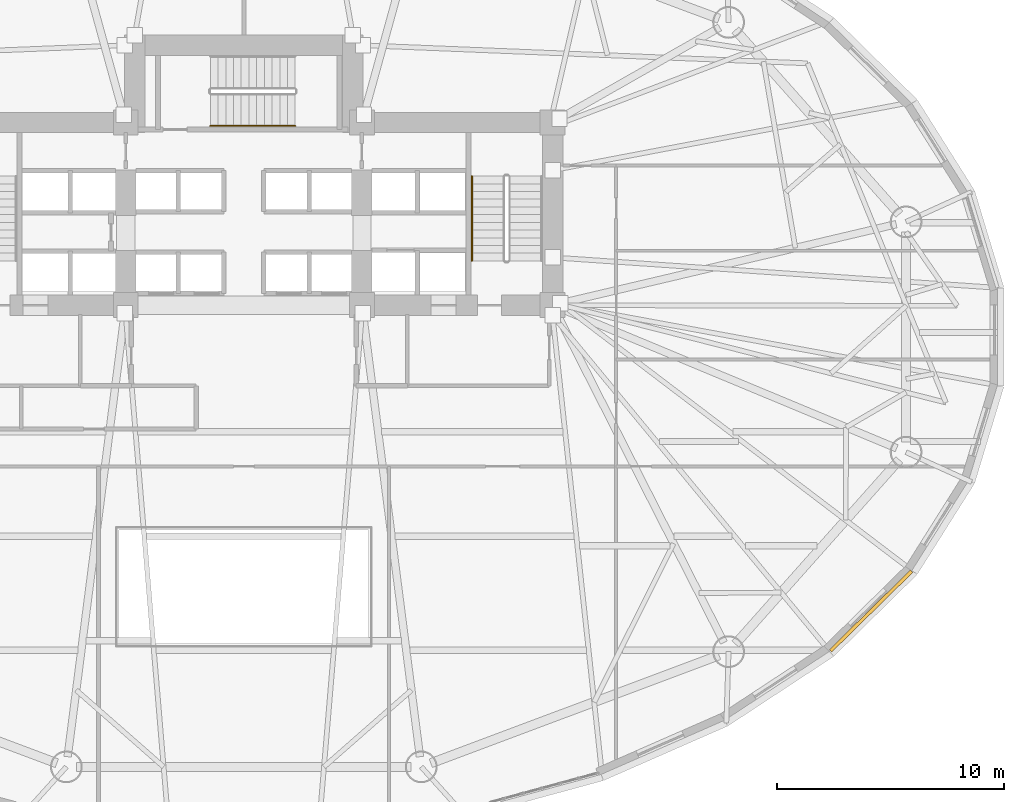
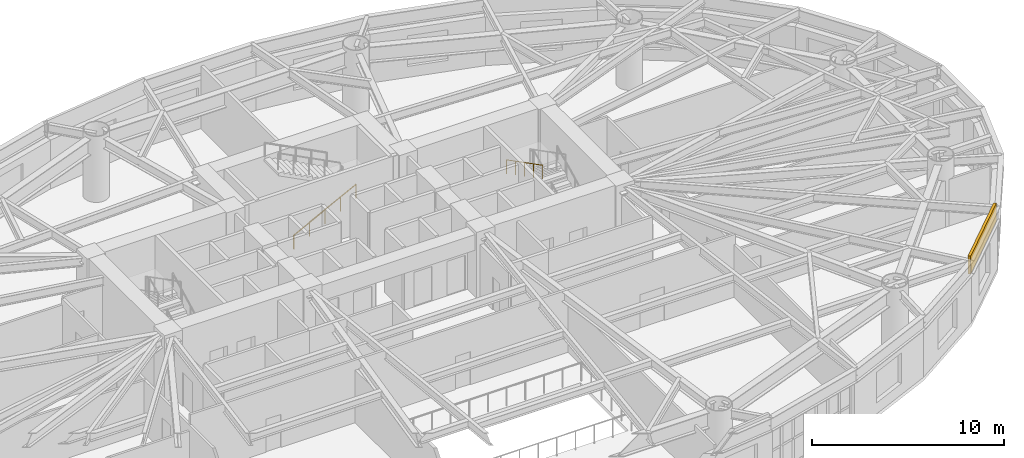
# One storey, part 16 of 19: 2 railings, 1 covering.
"""IFC4 building model written with IfcOpenShell, lengths in metres."""

from ifc_helpers import new_model, si_unit, direction, frame, origin, origin_2d, place, context, subcontext, project, spatial, rectangle, circle, extrude, material, layer, layer_set, type_object, element, save


model = new_model("IFC4")

# Units and contexts
model_context = context("Model", 3, precision=1e-05, world=origin(), true_north=direction((0.0, 1.0)))
body_context = subcontext(model_context, "Body", "Model", "MODEL_VIEW")
ifc_project = project(units=[si_unit("LENGTHUNIT", "METRE"), si_unit("AREAUNIT", "SQUARE_METRE"), si_unit("VOLUMEUNIT", "CUBIC_METRE"), si_unit("PLANEANGLEUNIT", "RADIAN"), si_unit("MASSUNIT", "GRAM", prefix="KILO")], contexts=[model_context])

# Site, building, storey
site_placement = place(None, origin())
site = spatial("IfcSite", under=ifc_project, at=site_placement, CompositionType="ELEMENT")
building_placement = place(site_placement, origin())
building = spatial("IfcBuilding", under=site, at=building_placement, Name="Keldmark Tower", CompositionType="ELEMENT")
storey_placement = place(building_placement, frame((0.0, 0.0, 10.199951171875)))
storey = spatial("IfcBuildingStorey", under=building, at=storey_placement, Name="L02", CompositionType="ELEMENT", Elevation=10.199951171875)

# Covering
ifc_material_1 = material(Name="Honed Kasota Buff Dolomitic Limestone", Category="masonry")
ifc_layer = layer(ifc_material_1, 0.074951171875)
ifc_layer_set = layer_set([ifc_layer], Name="Honed Kasota Buff Dolomitic Limestone")
covering_type = type_object("IfcCoveringType", Name="Kasota Buff Limestone Spandrel Cladding Band", PredefinedType="CLADDING", material=ifc_layer_set)
covering_placement = place(storey_placement, frame((27.62890625, -12.071044921875, 3.032958984375), z_axis=(0.0, 0.0, 1.0), x_axis=(0.713189280566, 0.700971504475, 0.0)))
element("IfcCovering", 1, at=covering_placement, inside=storey, type_object=covering_type, Name="L02 Kasota Limestone Spandrel Band 29", PredefinedType="CLADDING", context=body_context, shape_type="SweptSolid", body=[
    extrude(rectangle(XDim=4.995849609375, YDim=0.14990234375, at=origin_2d()), origin(), (0.0, 0.0, 1.0), 1.14697265625),
])

# Railings
ifc_material_2 = material(Name="Stainless Steel AISI 316L", Category="steel")
railing_type = type_object("IfcRailingType", Name="Stainless Steel Stair Handrail 900 mm", PredefinedType="HANDRAIL", material=ifc_material_2)
railing_1_placement = place(storey_placement, frame((10.050048828125, 7.090087890625, 2.275146484375)))
element("IfcRailing", 2, at=railing_1_placement, inside=storey, type_object=railing_type, Name="L02 ST2 stair handrail 2", PredefinedType="HANDRAIL", context=body_context, shape_type="SweptSolid", body=[
    extrude(circle(Radius=0.02392578125, at=origin_2d()), frame((0.0, 0.0, 0.8759765625), z_axis=(0.0, -0.889154217769, 0.457607667138), x_axis=(1.0, 0.0, 0.0)), (0.0, 0.0, 1.0), 4.206298828125),
    extrude(circle(Radius=0.02099609375, at=origin_2d()), origin(), (0.0, 0.0, 1.0), 0.851806640625),
    extrude(circle(Radius=0.02099609375, at=origin_2d()), frame((0.0, -0.93505859375, 0.481201171875)), (0.0, 0.0, 1.0), 0.851806640625),
    extrude(circle(Radius=0.02099609375, at=origin_2d()), frame((0.0, -1.8701171875, 0.96240234375)), (0.0, 0.0, 1.0), 0.851806640625),
    extrude(circle(Radius=0.02099609375, at=origin_2d()), frame((0.0, -2.804931640625, 1.443603515625)), (0.0, 0.0, 1.0), 0.851806640625),
    extrude(circle(Radius=0.02099609375, at=origin_2d()), frame((0.0, -3.739990234375, 1.9248046875)), (0.0, 0.0, 1.0), 0.851806640625),
])
railing_2_placement = place(storey_placement, frame((-1.47509765625, 9.300048828125, 0.175048828125)))
element("IfcRailing", 3, at=railing_2_placement, inside=storey, type_object=railing_type, Name="L02 ST3 stair handrail 1", PredefinedType="HANDRAIL", context=body_context, shape_type="SweptSolid", body=[
    extrude(circle(Radius=0.02392578125, at=origin_2d()), frame((0.0, 0.0, 0.8759765625), z_axis=(0.889130600629, 0.0, 0.457653553493), x_axis=(0.0, 1.0, 0.0)), (0.0, 0.0, 1.0), 4.206298828125),
    extrude(circle(Radius=0.02099609375, at=origin_2d()), origin(), (0.0, 0.0, 1.0), 0.851806640625),
    extrude(circle(Radius=0.02099609375, at=origin_2d()), frame((0.93505859375, 0.0, 0.481201171875)), (0.0, 0.0, 1.0), 0.851806640625),
    extrude(circle(Radius=0.02099609375, at=origin_2d()), frame((1.8701171875, 0.0, 0.96240234375)), (0.0, 0.0, 1.0), 0.851806640625),
    extrude(circle(Radius=0.02099609375, at=origin_2d()), frame((2.804931640625, 0.0, 1.44384765625)), (0.0, 0.0, 1.0), 0.851806640625),
    extrude(circle(Radius=0.02099609375, at=origin_2d()), frame((3.739990234375, 0.0, 1.925048828125)), (0.0, 0.0, 1.0), 0.851806640625),
])

save(model, "model.ifc")
